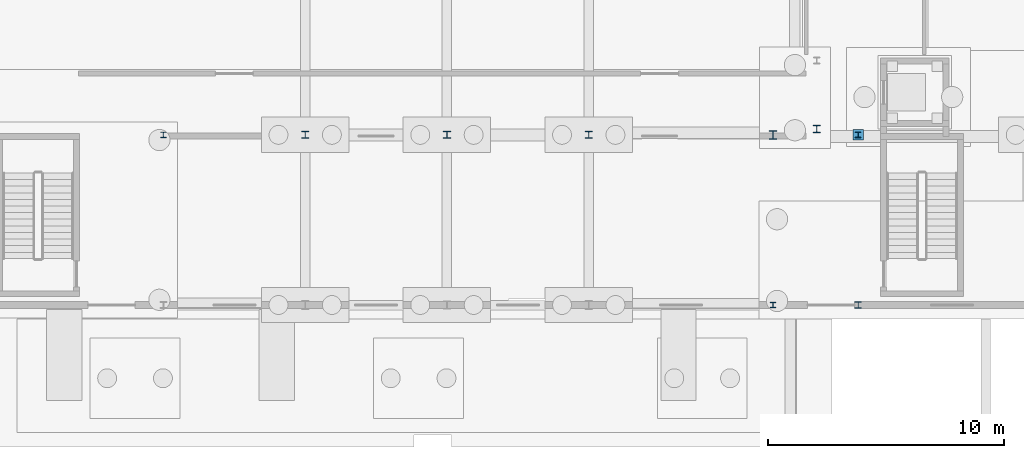
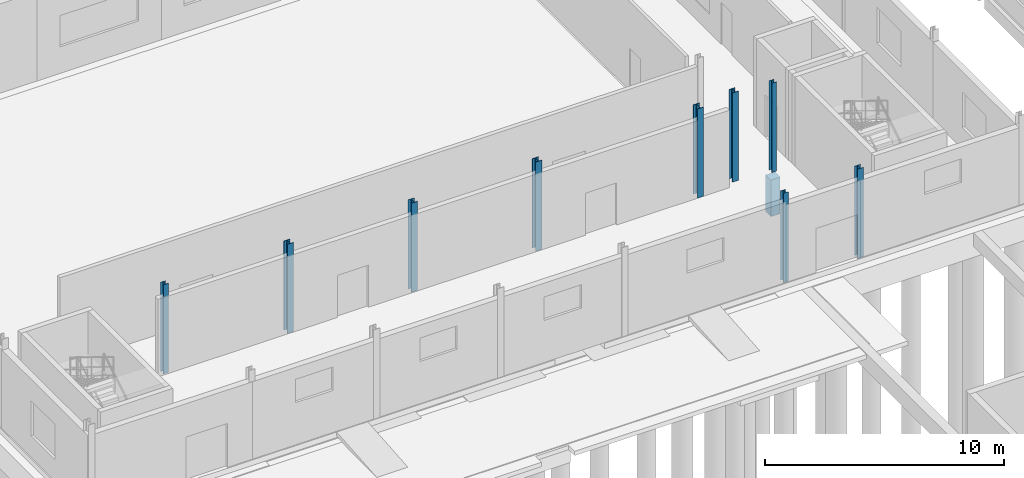
# One storey, part 17 of 91: 10 columns.
"""IFC4 building model written with IfcOpenShell, lengths in metres."""

from ifc_helpers import new_model, si_unit, direction, frame, origin, origin_2d, place, context, subcontext, project, spatial, rectangle, i_section, extrude, material, material_profile, profile_set, type_object, element, save


model = new_model("IFC4")

# Units and contexts
model_context = context("Model", 3, precision=1e-05, world=origin(), true_north=direction((0.0, 1.0)))
body_context = subcontext(model_context, "Body", "Model", "MODEL_VIEW")
ifc_project = project(units=[si_unit("LENGTHUNIT", "METRE"), si_unit("AREAUNIT", "SQUARE_METRE"), si_unit("VOLUMEUNIT", "CUBIC_METRE"), si_unit("PLANEANGLEUNIT", "RADIAN"), si_unit("MASSUNIT", "GRAM", prefix="KILO")], contexts=[model_context])

# Site, building, storey
site_placement = place(None, origin())
site = spatial("IfcSite", under=ifc_project, at=site_placement, CompositionType="ELEMENT")
building_placement = place(site_placement, origin())
building = spatial("IfcBuilding", under=site, at=building_placement, Name="Vinh Khe Railworks Police Headquarters", CompositionType="ELEMENT")
storey_placement = place(building_placement, origin())
storey = spatial("IfcBuildingStorey", under=building, at=storey_placement, Name="L00", CompositionType="ELEMENT", Elevation=0.0)

# Columns
ifc_material_1 = material(Name="Concrete C40/50 (B40)", Category="concrete")
ifc_material_profile_1 = material_profile(ifc_material_1, rectangle(XDim=0.449951171875, YDim=0.449951171875, at=origin_2d()), Name="RC 450x450")
ifc_profile_set_1 = profile_set([ifc_material_profile_1], Name="Concrete C40/50 (B40)")
column_type_1 = type_object("IfcColumnType", Name="RC Column RC 450x450", PredefinedType="COLUMN", material=ifc_profile_set_1)
column_1_placement = place(storey_placement, frame((63.60009765625, 145.199951171875, -2.14990234375), z_axis=(0.0, 0.0, 1.0), x_axis=(1.0, 0.0, 0.0)))
element("IfcColumn", 1, at=column_1_placement, inside=storey, type_object=column_type_1, Name="Lift Pit Lobby Transfer Pier PL-05-1", PredefinedType="COLUMN", context=body_context, shape_type="SweptSolid", body=[
    extrude(rectangle(XDim=0.449951171875, YDim=0.449951171875, at=origin_2d()), origin(), (0.0, 0.0, 1.0), 1.869873046875),
])
ifc_material_2 = material(Name="Steel S355JR", Category="steel")
ifc_material_profile_2 = material_profile(ifc_material_2, i_section(OverallWidth=0.239990234375, OverallDepth=0.22998046875, WebThickness=0.007568359375, FlangeThickness=0.011962890625, FilletRadius=0.02099609375, at=origin_2d()), Name="HEA 240")
ifc_profile_set_2 = profile_set([ifc_material_profile_2], Name="Steel S355JR")
column_type_2 = type_object("IfcColumnType", Name="Steel Column HEA 240", PredefinedType="COLUMN", material=ifc_profile_set_2)
for number, where, z_axis, x_axis, name in (
    (2, (34.199951171875, 145.199951171875, 0.0), (0.0, 0.0, 1.0), (1.0, 0.0, 0.0), "Column COL-L00-SC-20-0818"),
    (3, (60.0, 138.0, 0.0), (0.0, 0.0, 1.0), (1.0, 0.0, 0.0), "Column COL-L00-SC-20-1059"),
    (4, (63.60009765625, 145.199951171875, 0.0), (0.0, 0.0, 1.0), (1.0, 0.0, 0.0), "Column COL-L00-SC-20-1134"),
):
    element("IfcColumn", number, at=place(storey_placement, frame(where, z_axis=z_axis, x_axis=x_axis)), inside=storey, type_object=column_type_2, Name=name, PredefinedType="COLUMN", context=body_context, shape_type="SweptSolid", body=[
        extrude(i_section(OverallWidth=0.239990234375, OverallDepth=0.22998046875, WebThickness=0.007568359375, FlangeThickness=0.011962890625, FilletRadius=0.02099609375, at=origin_2d()), origin(), (0.0, 0.0, 1.0), 4.56005859375),
    ])
ifc_material_profile_3 = material_profile(ifc_material_2, i_section(OverallWidth=0.280029296875, OverallDepth=0.27001953125, WebThickness=0.008056640625, FlangeThickness=0.012939453125, FilletRadius=0.02392578125, at=origin_2d()), Name="HEA 280")
ifc_profile_set_3 = profile_set([ifc_material_profile_3], Name="Steel S355JR")
column_type_3 = type_object("IfcColumnType", Name="Steel Column HEA 280", PredefinedType="COLUMN", material=ifc_profile_set_3)
column_2_placement = place(storey_placement, frame((63.60009765625, 138.0, 0.0), z_axis=(0.0, 0.0, 1.0), x_axis=(1.0, 0.0, 0.0)))
element("IfcColumn", 5, at=column_2_placement, inside=storey, type_object=column_type_3, Name="Column COL-L00-SC-19-1132", PredefinedType="COLUMN", context=body_context, shape_type="SweptSolid", body=[
    extrude(i_section(OverallWidth=0.280029296875, OverallDepth=0.27001953125, WebThickness=0.008056640625, FlangeThickness=0.012939453125, FilletRadius=0.02392578125, at=origin_2d()), origin(), (0.0, 0.0, 1.0), 4.56005859375),
])
ifc_material_profile_4 = material_profile(ifc_material_2, i_section(OverallWidth=0.300048828125, OverallDepth=0.2900390625, WebThickness=0.008544921875, FlangeThickness=0.013916015625, FilletRadius=0.027099609375, at=origin_2d()), Name="HEA 300")
ifc_profile_set_4 = profile_set([ifc_material_profile_4], Name="Steel S355JR")
column_type_4 = type_object("IfcColumnType", Name="Steel Column HEA 300", PredefinedType="COLUMN", material=ifc_profile_set_4)
column_3_placement = place(storey_placement, frame((46.199951171875, 145.199951171875, 0.0), z_axis=(0.0, 0.0, 1.0), x_axis=(1.0, 0.0, 0.0)))
element("IfcColumn", 6, at=column_3_placement, inside=storey, type_object=column_type_4, Name="Column COL-L00-SC-18-0936", PredefinedType="COLUMN", context=body_context, shape_type="SweptSolid", body=[
    extrude(i_section(OverallWidth=0.300048828125, OverallDepth=0.2900390625, WebThickness=0.008544921875, FlangeThickness=0.013916015625, FilletRadius=0.027099609375, at=origin_2d()), origin(), (0.0, 0.0, 1.0), 4.56005859375),
])
ifc_material_profile_5 = material_profile(ifc_material_2, i_section(OverallWidth=0.300048828125, OverallDepth=0.300048828125, WebThickness=0.010986328125, FlangeThickness=0.01904296875, FilletRadius=0.027099609375, at=origin_2d()), Name="HEB 300")
ifc_profile_set_5 = profile_set([ifc_material_profile_5], Name="Steel S355JR")
column_type_5 = type_object("IfcColumnType", Name="Steel Column HEB 300", PredefinedType="COLUMN", material=ifc_profile_set_5)
for number, where, z_axis, x_axis, name in (
    (7, (40.199951171875, 145.199951171875, 0.0), (0.0, 0.0, 1.0), (1.0, 0.0, 0.0), "Column COL-L00-SC-11-0875"),
    (8, (52.199951171875, 145.199951171875, 0.0), (0.0, 0.0, 1.0), (1.0, 0.0, 0.0), "Column COL-L00-SC-11-0989"),
    (9, (61.85009765625, 145.449951171875, 0.0), (0.0, 0.0, 1.0), (1.0, 0.0, 0.0), "Column COL-L00-SC-11-1064"),
):
    element("IfcColumn", number, at=place(storey_placement, frame(where, z_axis=z_axis, x_axis=x_axis)), inside=storey, type_object=column_type_5, Name=name, PredefinedType="COLUMN", context=body_context, shape_type="SweptSolid", body=[
        extrude(i_section(OverallWidth=0.300048828125, OverallDepth=0.300048828125, WebThickness=0.010986328125, FlangeThickness=0.01904296875, FilletRadius=0.027099609375, at=origin_2d()), origin(), (0.0, 0.0, 1.0), 4.56005859375),
    ])
ifc_material_profile_6 = material_profile(ifc_material_2, i_section(OverallWidth=0.300048828125, OverallDepth=0.360107421875, WebThickness=0.012451171875, FlangeThickness=0.0224609375, FilletRadius=0.027099609375, at=origin_2d()), Name="HEB 360")
ifc_profile_set_6 = profile_set([ifc_material_profile_6], Name="Steel S355JR")
column_type_6 = type_object("IfcColumnType", Name="Steel Column HEB 360", PredefinedType="COLUMN", material=ifc_profile_set_6)
column_4_placement = place(storey_placement, frame((60.0, 145.199951171875, 0.0), z_axis=(0.0, 0.0, 1.0), x_axis=(1.0, 0.0, 0.0)))
element("IfcColumn", 10, at=column_4_placement, inside=storey, type_object=column_type_6, Name="Column COL-L00-SC-09-1061", PredefinedType="COLUMN", context=body_context, shape_type="SweptSolid", body=[
    extrude(i_section(OverallWidth=0.300048828125, OverallDepth=0.360107421875, WebThickness=0.012451171875, FlangeThickness=0.0224609375, FilletRadius=0.027099609375, at=origin_2d()), origin(), (0.0, 0.0, 1.0), 4.56005859375),
])

save(model, "model.ifc")
